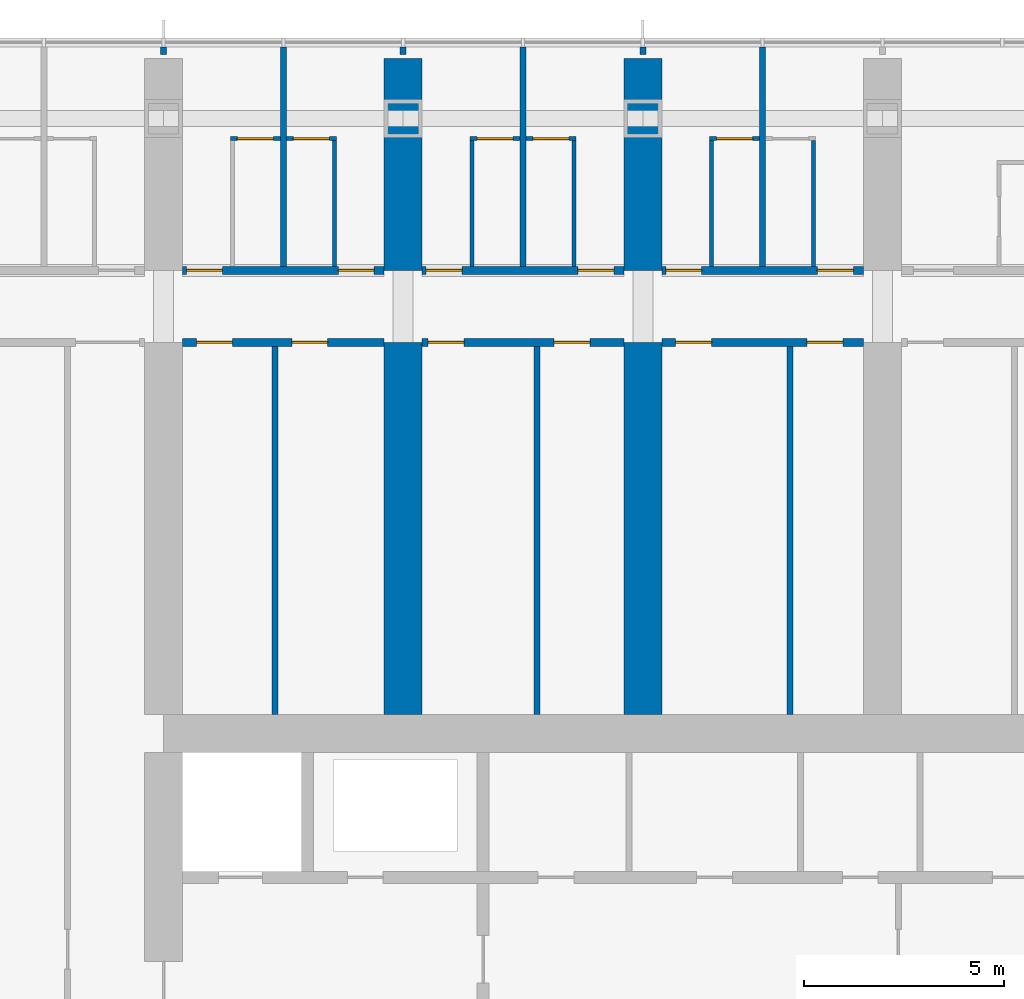
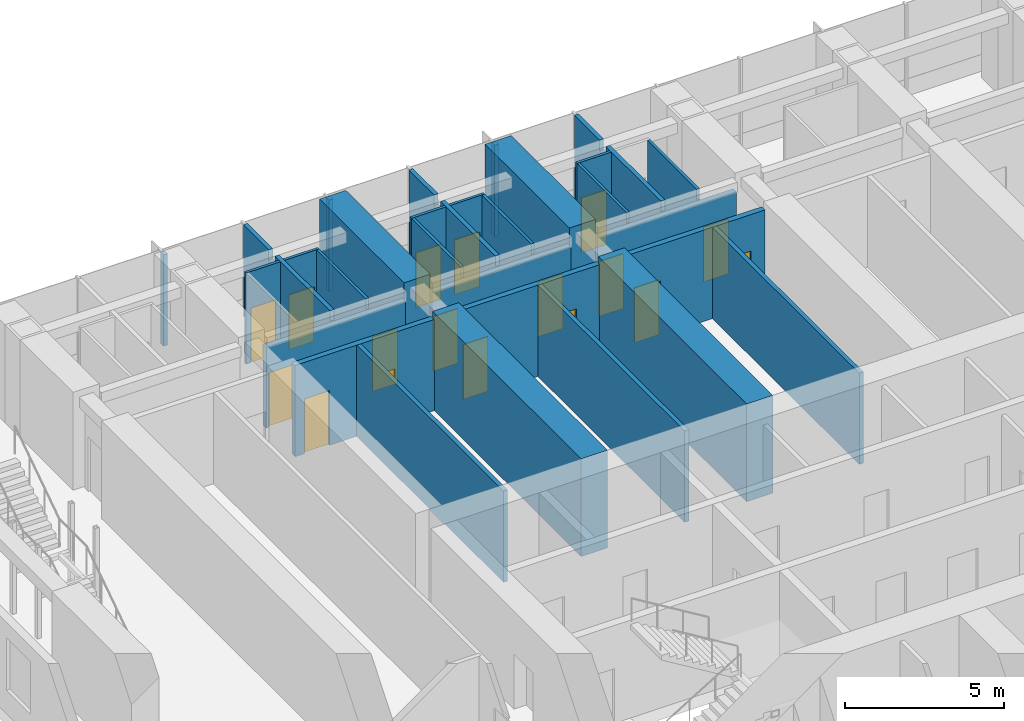
# One storey, part 16 of 26: 29 walls, 17 doors, 17 openings.
"""IFC4 building model written with IfcOpenShell, lengths in metres."""

from ifc_helpers import new_model, si_unit, direction, frame, frame_2d, origin, place, context, subcontext, project, spatial, polyline, rectangle, outline, extrude, material, layer, layer_set, type_object, element, fill, save


model = new_model("IFC4")

# Units and contexts
model_context = context("Model", 3, precision=1e-05, world=origin(), true_north=direction((0.0, 1.0)))
body_context = subcontext(model_context, "Body", "Model", "MODEL_VIEW")
ifc_project = project(units=[si_unit("LENGTHUNIT", "METRE"), si_unit("AREAUNIT", "SQUARE_METRE"), si_unit("VOLUMEUNIT", "CUBIC_METRE"), si_unit("PLANEANGLEUNIT", "RADIAN"), si_unit("MASSUNIT", "GRAM", prefix="KILO")], contexts=[model_context])

# Site, building, storey
site_placement = place(None, origin())
site = spatial("IfcSite", under=ifc_project, at=site_placement, CompositionType="ELEMENT")
building_placement = place(site_placement, origin())
building = spatial("IfcBuilding", under=site, at=building_placement, Name="Orbita Commons", CompositionType="ELEMENT")
storey_placement = place(building_placement, frame((0.0, 0.0, 114.39990234375)))
storey = spatial("IfcBuildingStorey", under=building, at=storey_placement, Name="L28", CompositionType="ELEMENT", Elevation=114.39990234375)

# Wall, openings, doors
ifc_material_1 = material(Name="Concrete blockwork", Category="masonry")
ifc_layer_1 = layer(ifc_material_1, 0.199951171875)
ifc_layer_set_1 = layer_set([ifc_layer_1], Name="Concrete blockwork")
wall_type_1 = type_object("IfcWallType", Name="Corridor wall 200 blockwork", PredefinedType="SOLIDWALL", material=ifc_layer_set_1)
wall_1_placement = place(storey_placement, frame((18.47509765625, 49.800048828125, 0.0), z_axis=(0.0, 0.0, 1.0), x_axis=(1.0, 0.0, 0.0)))
wall_1 = element("IfcWall", 1, at=wall_1_placement, inside=storey, type_object=wall_type_1, Name="Corridor wall 200 blockwork L28", PredefinedType="SOLIDWALL", context=body_context, shape_type="SweptSolid", body=[
    extrude(outline(polyline([(0.0, 0.0), (5.0498046875, 0.0), (5.050048828125, 3.10009765625), (0.0, 3.10009765625), (0.0, 0.0)])), frame((0.0, 0.10009765625, 0.0), z_axis=(0.0, -1.0, 0.0), x_axis=(1.0, 0.0, 0.0)), (0.0, 0.0, 1.0), 0.199951171875),
])
opening_1_placement = place(wall_1_placement, frame((0.10009765625, 0.0, 0.0)))
opening_1 = element("IfcOpeningElement", 2, at=opening_1_placement, cuts=wall_1, Name="Opening D11", PredefinedType="OPENING", context=body_context, shape_type="SweptSolid", body=[
    extrude(rectangle(XDim=0.89990234375, YDim=2.10009765625, at=frame_2d((0.449951171875, 1.050048828125))), frame((0.0, 0.10986328125, 0.0), z_axis=(0.0, -1.0, 0.0), x_axis=(1.0, 0.0, 0.0)), (0.0, 0.0, 1.0), 0.219970703125),
])
opening_2_placement = place(wall_1_placement, frame((3.89990234375, 0.0, 0.0)))
opening_2 = element("IfcOpeningElement", 3, at=opening_2_placement, cuts=wall_1, Name="Opening D11", PredefinedType="OPENING", context=body_context, shape_type="SweptSolid", body=[
    extrude(rectangle(XDim=0.89990234375, YDim=2.10009765625, at=frame_2d((0.449951171875, 1.050048828125))), frame((0.0, 0.10986328125, 0.0), z_axis=(0.0, -1.0, 0.0), x_axis=(1.0, 0.0, 0.0)), (0.0, 0.0, 1.0), 0.219970703125),
])
ifc_material_2 = material(Name="Steel-faced fire door leaf", Category="steel")
door_type_1 = type_object("IfcDoorType", Name="Corridor door 20 min 900x2100", OperationType="SINGLE_SWING_LEFT", PredefinedType="DOOR", material=ifc_material_2)
door_1_placement = place(opening_1_placement, origin())
door_1 = element("IfcDoor", 4, at=door_1_placement, inside=storey, type_object=door_type_1, Name="Cluster bedroom L28-N02 door", OperationType="SINGLE_SWING_LEFT", OverallHeight=2.10009765625, OverallWidth=0.89990234375, PredefinedType="DOOR", context=body_context, shape_type="SweptSolid", body=[
    extrude(rectangle(XDim=0.89990234375, YDim=2.10009765625, at=frame_2d((0.449951171875, 1.050048828125))), frame((0.0, 0.02490234375, 0.0), z_axis=(0.0, -1.0, 0.0), x_axis=(1.0, 0.0, 0.0)), (0.0, 0.0, 1.0), 0.050048828125),
])
fill(opening_1, door_1)
door_2_placement = place(opening_2_placement, origin())
door_2 = element("IfcDoor", 5, at=door_2_placement, inside=storey, type_object=door_type_1, Name="Cluster bedroom L28-N03 door", OperationType="SINGLE_SWING_LEFT", OverallHeight=2.10009765625, OverallWidth=0.89990234375, PredefinedType="DOOR", context=body_context, shape_type="SweptSolid", body=[
    extrude(rectangle(XDim=0.89990234375, YDim=2.10009765625, at=frame_2d((0.449951171875, 1.050048828125))), frame((0.0, 0.02490234375, 0.0), z_axis=(0.0, -1.0, 0.0), x_axis=(1.0, 0.0, 0.0)), (0.0, 0.0, 1.0), 0.050048828125),
])
fill(opening_2, door_2)

wall_2_placement = place(storey_placement, frame((24.47509765625, 49.800048828125, 0.0), z_axis=(0.0, 0.0, 1.0), x_axis=(1.0, 0.0, 0.0)))
wall_2 = element("IfcWall", 6, at=wall_2_placement, inside=storey, type_object=wall_type_1, Name="Corridor wall 200 blockwork L28", PredefinedType="SOLIDWALL", context=body_context, shape_type="SweptSolid", body=[
    extrude(outline(polyline([(0.0, 0.0), (5.0498046875, 0.0), (5.050048828125, 3.10009765625), (0.0, 3.10009765625), (0.0, 0.0)])), frame((0.0, 0.10009765625, 0.0), z_axis=(0.0, -1.0, 0.0), x_axis=(1.0, 0.0, 0.0)), (0.0, 0.0, 1.0), 0.199951171875),
])
opening_3_placement = place(wall_2_placement, frame((0.10009765625, 0.0, 0.0)))
opening_3 = element("IfcOpeningElement", 7, at=opening_3_placement, cuts=wall_2, Name="Opening D11", PredefinedType="OPENING", context=body_context, shape_type="SweptSolid", body=[
    extrude(rectangle(XDim=0.89990234375, YDim=2.10009765625, at=frame_2d((0.449951171875, 1.050048828125))), frame((0.0, 0.10986328125, 0.0), z_axis=(0.0, -1.0, 0.0), x_axis=(1.0, 0.0, 0.0)), (0.0, 0.0, 1.0), 0.219970703125),
])
opening_4_placement = place(wall_2_placement, frame((3.89990234375, 0.0, 0.0)))
opening_4 = element("IfcOpeningElement", 8, at=opening_4_placement, cuts=wall_2, Name="Opening D11", PredefinedType="OPENING", context=body_context, shape_type="SweptSolid", body=[
    extrude(rectangle(XDim=0.89990234375, YDim=2.10009765625, at=frame_2d((0.449951171875, 1.050048828125))), frame((0.0, 0.10986328125, 0.0), z_axis=(0.0, -1.0, 0.0), x_axis=(1.0, 0.0, 0.0)), (0.0, 0.0, 1.0), 0.219970703125),
])
door_3_placement = place(opening_3_placement, origin())
door_3 = element("IfcDoor", 9, at=door_3_placement, inside=storey, type_object=door_type_1, Name="Cluster bedroom L28-N04 door", OperationType="SINGLE_SWING_LEFT", OverallHeight=2.10009765625, OverallWidth=0.89990234375, PredefinedType="DOOR", context=body_context, shape_type="SweptSolid", body=[
    extrude(rectangle(XDim=0.89990234375, YDim=2.10009765625, at=frame_2d((0.449951171875, 1.050048828125))), frame((0.0, 0.02490234375, 0.0), z_axis=(0.0, -1.0, 0.0), x_axis=(1.0, 0.0, 0.0)), (0.0, 0.0, 1.0), 0.050048828125),
])
fill(opening_3, door_3)
door_4_placement = place(opening_4_placement, origin())
door_4 = element("IfcDoor", 10, at=door_4_placement, inside=storey, type_object=door_type_1, Name="Cluster bedroom L28-N05 door", OperationType="SINGLE_SWING_LEFT", OverallHeight=2.10009765625, OverallWidth=0.89990234375, PredefinedType="DOOR", context=body_context, shape_type="SweptSolid", body=[
    extrude(rectangle(XDim=0.89990234375, YDim=2.10009765625, at=frame_2d((0.449951171875, 1.050048828125))), frame((0.0, 0.02490234375, 0.0), z_axis=(0.0, -1.0, 0.0), x_axis=(1.0, 0.0, 0.0)), (0.0, 0.0, 1.0), 0.050048828125),
])
fill(opening_4, door_4)

wall_3_placement = place(storey_placement, frame((30.47509765625, 49.800048828125, 0.0), z_axis=(0.0, 0.0, 1.0), x_axis=(1.0, 0.0, 0.0)))
wall_3 = element("IfcWall", 11, at=wall_3_placement, inside=storey, type_object=wall_type_1, Name="Corridor wall 200 blockwork L28", PredefinedType="SOLIDWALL", context=body_context, shape_type="SweptSolid", body=[
    extrude(outline(polyline([(0.0, 0.0), (5.0498046875, 0.0), (5.050048828125, 3.10009765625), (0.0, 3.10009765625), (0.0, 0.0)])), frame((0.0, 0.10009765625, 0.0), z_axis=(0.0, -1.0, 0.0), x_axis=(1.0, 0.0, 0.0)), (0.0, 0.0, 1.0), 0.199951171875),
])
opening_5_placement = place(wall_3_placement, frame((0.10009765625, 0.0, 0.0)))
opening_5 = element("IfcOpeningElement", 12, at=opening_5_placement, cuts=wall_3, Name="Opening D11", PredefinedType="OPENING", context=body_context, shape_type="SweptSolid", body=[
    extrude(rectangle(XDim=0.89990234375, YDim=2.10009765625, at=frame_2d((0.449951171875, 1.050048828125))), frame((0.0, 0.10986328125, 0.0), z_axis=(0.0, -1.0, 0.0), x_axis=(1.0, 0.0, 0.0)), (0.0, 0.0, 1.0), 0.219970703125),
])
opening_6_placement = place(wall_3_placement, frame((3.89990234375, 0.0, 0.0)))
opening_6 = element("IfcOpeningElement", 13, at=opening_6_placement, cuts=wall_3, Name="Opening D11", PredefinedType="OPENING", context=body_context, shape_type="SweptSolid", body=[
    extrude(rectangle(XDim=0.89990234375, YDim=2.10009765625, at=frame_2d((0.449951171875, 1.050048828125))), frame((0.0, 0.10986328125, 0.0), z_axis=(0.0, -1.0, 0.0), x_axis=(1.0, 0.0, 0.0)), (0.0, 0.0, 1.0), 0.219970703125),
])
door_5_placement = place(opening_5_placement, origin())
door_5 = element("IfcDoor", 14, at=door_5_placement, inside=storey, type_object=door_type_1, Name="Cluster bedroom L28-N06 door", OperationType="SINGLE_SWING_LEFT", OverallHeight=2.10009765625, OverallWidth=0.89990234375, PredefinedType="DOOR", context=body_context, shape_type="SweptSolid", body=[
    extrude(rectangle(XDim=0.89990234375, YDim=2.10009765625, at=frame_2d((0.449951171875, 1.050048828125))), frame((0.0, 0.02490234375, 0.0), z_axis=(0.0, -1.0, 0.0), x_axis=(1.0, 0.0, 0.0)), (0.0, 0.0, 1.0), 0.050048828125),
])
fill(opening_5, door_5)
door_6_placement = place(opening_6_placement, origin())
door_6 = element("IfcDoor", 15, at=door_6_placement, inside=storey, type_object=door_type_1, Name="Cluster bedroom L28-N07 door", OperationType="SINGLE_SWING_LEFT", OverallHeight=2.10009765625, OverallWidth=0.89990234375, PredefinedType="DOOR", context=body_context, shape_type="SweptSolid", body=[
    extrude(rectangle(XDim=0.89990234375, YDim=2.10009765625, at=frame_2d((0.449951171875, 1.050048828125))), frame((0.0, 0.02490234375, 0.0), z_axis=(0.0, -1.0, 0.0), x_axis=(1.0, 0.0, 0.0)), (0.0, 0.0, 1.0), 0.050048828125),
])
fill(opening_6, door_6)

ifc_material_3 = material(Name="Hollow concrete block 200", Category="concrete")
ifc_layer_2 = layer(ifc_material_3, 0.199951171875)
ifc_layer_set_2 = layer_set([ifc_layer_2], Name="Hollow concrete block 200")
wall_type_2 = type_object("IfcWallType", Name="Corridor wall 200 hollow concrete block", PredefinedType="SOLIDWALL", material=ifc_layer_set_2)
wall_4_placement = place(storey_placement, frame((18.47509765625, 48.0, 0.0), z_axis=(0.0, 0.0, 1.0), x_axis=(1.0, 0.0, 0.0)))
wall_4 = element("IfcWall", 16, at=wall_4_placement, inside=storey, type_object=wall_type_2, Name="Corridor wall 200 hollow concrete block L28", PredefinedType="SOLIDWALL", context=body_context, shape_type="SweptSolid", body=[
    extrude(rectangle(XDim=5.0498046875, YDim=0.199951171875, at=frame_2d((2.52490234375, 0.0))), origin(), (0.0, 0.0, 1.0), 3.5),
])
opening_7_placement = place(wall_4_placement, frame((0.35009765625, 0.0, 0.0)))
opening_7 = element("IfcOpeningElement", 17, at=opening_7_placement, cuts=wall_4, Name="Opening D11", PredefinedType="OPENING", context=body_context, shape_type="SweptSolid", body=[
    extrude(rectangle(XDim=0.89990234375, YDim=2.10009765625, at=frame_2d((0.449951171875, 1.050048828125))), frame((0.0, 0.10986328125, 0.0), z_axis=(0.0, -1.0, 0.0), x_axis=(1.0, 0.0, 0.0)), (0.0, 0.0, 1.0), 0.219970703125),
])
opening_8_placement = place(wall_4_placement, frame((2.735107421875, 0.0, 0.0)))
opening_8 = element("IfcOpeningElement", 18, at=opening_8_placement, cuts=wall_4, Name="Opening D11", PredefinedType="OPENING", context=body_context, shape_type="SweptSolid", body=[
    extrude(rectangle(XDim=0.89990234375, YDim=2.10009765625, at=frame_2d((0.449951171875, 1.050048828125))), frame((0.0, 0.10986328125, 0.0), z_axis=(0.0, -1.0, 0.0), x_axis=(1.0, 0.0, 0.0)), (0.0, 0.0, 1.0), 0.219970703125),
])
door_7_placement = place(opening_7_placement, origin())
door_7 = element("IfcDoor", 19, at=door_7_placement, inside=storey, type_object=door_type_1, Name="Equipment store L28-BDN18n door", OperationType="SINGLE_SWING_LEFT", OverallHeight=2.10009765625, OverallWidth=0.89990234375, PredefinedType="DOOR", context=body_context, shape_type="SweptSolid", body=[
    extrude(rectangle(XDim=0.89990234375, YDim=2.10009765625, at=frame_2d((0.449951171875, 1.050048828125))), frame((0.0, 0.02490234375, 0.0), z_axis=(0.0, -1.0, 0.0), x_axis=(1.0, 0.0, 0.0)), (0.0, 0.0, 1.0), 0.050048828125),
])
fill(opening_7, door_7)
door_8_placement = place(opening_8_placement, origin())
door_8 = element("IfcDoor", 20, at=door_8_placement, inside=storey, type_object=door_type_1, Name="Cleaners store L28-BDN18 door", OperationType="SINGLE_SWING_LEFT", OverallHeight=2.10009765625, OverallWidth=0.89990234375, PredefinedType="DOOR", context=body_context, shape_type="SweptSolid", body=[
    extrude(rectangle(XDim=0.89990234375, YDim=2.10009765625, at=frame_2d((0.449951171875, 1.050048828125))), frame((0.0, 0.02490234375, 0.0), z_axis=(0.0, -1.0, 0.0), x_axis=(1.0, 0.0, 0.0)), (0.0, 0.0, 1.0), 0.050048828125),
])
fill(opening_8, door_8)

wall_5_placement = place(storey_placement, frame((24.47509765625, 48.0, 0.0), z_axis=(0.0, 0.0, 1.0), x_axis=(1.0, 0.0, 0.0)))
wall_5 = element("IfcWall", 21, at=wall_5_placement, inside=storey, type_object=wall_type_2, Name="Corridor wall 200 hollow concrete block L28", PredefinedType="SOLIDWALL", context=body_context, shape_type="SweptSolid", body=[
    extrude(rectangle(XDim=5.0498046875, YDim=0.199951171875, at=frame_2d((2.52490234375, 0.0))), origin(), (0.0, 0.0, 1.0), 3.5),
])
opening_9_placement = place(wall_5_placement, frame((0.14990234375, 0.0, 0.0)))
opening_9 = element("IfcOpeningElement", 22, at=opening_9_placement, cuts=wall_5, Name="Opening D11", PredefinedType="OPENING", context=body_context, shape_type="SweptSolid", body=[
    extrude(rectangle(XDim=0.89990234375, YDim=2.10009765625, at=frame_2d((0.449951171875, 1.050048828125))), frame((0.0, 0.10986328125, 0.0), z_axis=(0.0, -1.0, 0.0), x_axis=(1.0, 0.0, 0.0)), (0.0, 0.0, 1.0), 0.219970703125),
])
opening_10_placement = place(wall_5_placement, frame((3.304931640625, 0.0, 0.0)))
opening_10 = element("IfcOpeningElement", 23, at=opening_10_placement, cuts=wall_5, Name="Opening D11", PredefinedType="OPENING", context=body_context, shape_type="SweptSolid", body=[
    extrude(rectangle(XDim=0.89990234375, YDim=2.10009765625, at=frame_2d((0.449951171875, 1.050048828125))), frame((0.0, 0.10986328125, 0.0), z_axis=(0.0, -1.0, 0.0), x_axis=(1.0, 0.0, 0.0)), (0.0, 0.0, 1.0), 0.219970703125),
])
door_9_placement = place(opening_9_placement, origin())
door_9 = element("IfcDoor", 24, at=door_9_placement, inside=storey, type_object=door_type_1, Name="Electrical and data room L28-BDN24 door", OperationType="SINGLE_SWING_LEFT", OverallHeight=2.10009765625, OverallWidth=0.89990234375, PredefinedType="DOOR", context=body_context, shape_type="SweptSolid", body=[
    extrude(rectangle(XDim=0.89990234375, YDim=2.10009765625, at=frame_2d((0.449951171875, 1.050048828125))), frame((0.0, 0.02490234375, 0.0), z_axis=(0.0, -1.0, 0.0), x_axis=(1.0, 0.0, 0.0)), (0.0, 0.0, 1.0), 0.050048828125),
])
fill(opening_9, door_9)
door_10_placement = place(opening_10_placement, origin())
door_10 = element("IfcDoor", 25, at=door_10_placement, inside=storey, type_object=door_type_1, Name="Battery and UPS room L28-BDN24n door", OperationType="SINGLE_SWING_LEFT", OverallHeight=2.10009765625, OverallWidth=0.89990234375, PredefinedType="DOOR", context=body_context, shape_type="SweptSolid", body=[
    extrude(rectangle(XDim=0.89990234375, YDim=2.10009765625, at=frame_2d((0.449951171875, 1.050048828125))), frame((0.0, 0.02490234375, 0.0), z_axis=(0.0, -1.0, 0.0), x_axis=(1.0, 0.0, 0.0)), (0.0, 0.0, 1.0), 0.050048828125),
])
fill(opening_10, door_10)

wall_6_placement = place(storey_placement, frame((30.47509765625, 48.0, 0.0), z_axis=(0.0, 0.0, 1.0), x_axis=(1.0, 0.0, 0.0)))
wall_6 = element("IfcWall", 26, at=wall_6_placement, inside=storey, type_object=wall_type_2, Name="Corridor wall 200 hollow concrete block L28", PredefinedType="SOLIDWALL", context=body_context, shape_type="SweptSolid", body=[
    extrude(rectangle(XDim=5.0498046875, YDim=0.199951171875, at=frame_2d((2.52490234375, 0.0))), origin(), (0.0, 0.0, 1.0), 3.5),
])
opening_11_placement = place(wall_6_placement, frame((0.35009765625, 0.0, 0.0)))
opening_11 = element("IfcOpeningElement", 27, at=opening_11_placement, cuts=wall_6, Name="Opening D11", PredefinedType="OPENING", context=body_context, shape_type="SweptSolid", body=[
    extrude(rectangle(XDim=0.89990234375, YDim=2.10009765625, at=frame_2d((0.449951171875, 1.050048828125))), frame((0.0, 0.10986328125, 0.0), z_axis=(0.0, -1.0, 0.0), x_axis=(1.0, 0.0, 0.0)), (0.0, 0.0, 1.0), 0.219970703125),
])
opening_12_placement = place(wall_6_placement, frame((3.635009765625, 0.0, 0.0)))
opening_12 = element("IfcOpeningElement", 28, at=opening_12_placement, cuts=wall_6, Name="Opening D11", PredefinedType="OPENING", context=body_context, shape_type="SweptSolid", body=[
    extrude(rectangle(XDim=0.89990234375, YDim=2.10009765625, at=frame_2d((0.449951171875, 1.050048828125))), frame((0.0, 0.10986328125, 0.0), z_axis=(0.0, -1.0, 0.0), x_axis=(1.0, 0.0, 0.0)), (0.0, 0.0, 1.0), 0.219970703125),
])
door_11_placement = place(opening_11_placement, origin())
door_11 = element("IfcDoor", 29, at=door_11_placement, inside=storey, type_object=door_type_1, Name="Ventilation plant room north L28-BDN30 door", OperationType="SINGLE_SWING_LEFT", OverallHeight=2.10009765625, OverallWidth=0.89990234375, PredefinedType="DOOR", context=body_context, shape_type="SweptSolid", body=[
    extrude(rectangle(XDim=0.89990234375, YDim=2.10009765625, at=frame_2d((0.449951171875, 1.050048828125))), frame((0.0, 0.02490234375, 0.0), z_axis=(0.0, -1.0, 0.0), x_axis=(1.0, 0.0, 0.0)), (0.0, 0.0, 1.0), 0.050048828125),
])
fill(opening_11, door_11)
door_12_placement = place(opening_12_placement, origin())
door_12 = element("IfcDoor", 30, at=door_12_placement, inside=storey, type_object=door_type_1, Name="Sprinkler valve room L28-BDN30n door", OperationType="SINGLE_SWING_LEFT", OverallHeight=2.10009765625, OverallWidth=0.89990234375, PredefinedType="DOOR", context=body_context, shape_type="SweptSolid", body=[
    extrude(rectangle(XDim=0.89990234375, YDim=2.10009765625, at=frame_2d((0.449951171875, 1.050048828125))), frame((0.0, 0.02490234375, 0.0), z_axis=(0.0, -1.0, 0.0), x_axis=(1.0, 0.0, 0.0)), (0.0, 0.0, 1.0), 0.050048828125),
])
fill(opening_12, door_12)

# Walls
ifc_material_4 = material(Name="Concrete C50/60", Category="concrete")
ifc_layer_3 = layer(ifc_material_4, 0.949951171875)
ifc_layer_set_3 = layer_set([ifc_layer_3], Name="Concrete C50/60")
wall_type_3 = type_object("IfcWallType", Name="Cross wall 950 C50/60", PredefinedType="SHEAR", material=ifc_layer_set_3)
wall_7_placement = place(storey_placement, frame((24.0, 49.800048828125, 0.0), z_axis=(0.0, 0.0, 1.0), x_axis=(0.0, 1.0, 0.0)))
element("IfcWall", 31, at=wall_7_placement, inside=storey, type_object=wall_type_3, Name="Cross wall 5 north outer L28", PredefinedType="SHEAR", context=body_context, shape_type="SweptSolid", body=[
    extrude(rectangle(XDim=5.300048828125, YDim=0.949951171875, at=frame_2d((2.64990234375, 0.0))), origin(), (0.0, 0.0, 1.0), 3.75),
])
wall_8_placement = place(storey_placement, frame((24.0, 38.675048828125, 0.0), z_axis=(0.0, 0.0, 1.0), x_axis=(0.0, 1.0, 0.0)))
element("IfcWall", 32, at=wall_8_placement, inside=storey, type_object=wall_type_3, Name="Cross wall 5 north inner L28", PredefinedType="SHEAR", context=body_context, shape_type="SweptSolid", body=[
    extrude(rectangle(XDim=9.324951171875, YDim=0.949951171875, at=frame_2d((4.66259765625, 0.0))), origin(), (0.0, 0.0, 1.0), 3.75),
])
wall_9_placement = place(storey_placement, frame((30.0, 49.800048828125, 0.0), z_axis=(0.0, 0.0, 1.0), x_axis=(0.0, 1.0, 0.0)))
element("IfcWall", 33, at=wall_9_placement, inside=storey, type_object=wall_type_3, Name="Cross wall 6 north outer L28", PredefinedType="SHEAR", context=body_context, shape_type="SweptSolid", body=[
    extrude(rectangle(XDim=5.300048828125, YDim=0.949951171875, at=frame_2d((2.64990234375, 0.0))), origin(), (0.0, 0.0, 1.0), 3.75),
])
wall_10_placement = place(storey_placement, frame((30.0, 38.675048828125, 0.0), z_axis=(0.0, 0.0, 1.0), x_axis=(0.0, 1.0, 0.0)))
element("IfcWall", 34, at=wall_10_placement, inside=storey, type_object=wall_type_3, Name="Cross wall 6 north inner L28", PredefinedType="SHEAR", context=body_context, shape_type="SweptSolid", body=[
    extrude(rectangle(XDim=9.324951171875, YDim=0.949951171875, at=frame_2d((4.66259765625, 0.0))), origin(), (0.0, 0.0, 1.0), 3.75),
])

# Wall, opening, door
ifc_material_5 = material(Name="Moisture-resistant plasterboard on steel studs", Category="steel")
ifc_layer_4 = layer(ifc_material_5, 0.10009765625)
ifc_layer_set_4 = layer_set([ifc_layer_4], Name="Moisture-resistant plasterboard on steel studs")
wall_type_4 = type_object("IfcWallType", Name="En-suite partition 100", PredefinedType="PARTITIONING", material=ifc_layer_set_4)
wall_11_placement = place(storey_placement, frame((19.675048828125, 53.10009765625, 0.0), z_axis=(0.0, 0.0, 1.0), x_axis=(1.0, 0.0, 0.0)))
wall_11 = element("IfcWall", 35, at=wall_11_placement, inside=storey, type_object=wall_type_4, Name="En-suite partition 100 L28", PredefinedType="PARTITIONING", context=body_context, shape_type="SweptSolid", body=[
    extrude(rectangle(XDim=1.25, YDim=0.10009765625, at=frame_2d((0.625, 0.0))), origin(), (0.0, 0.0, 1.0), 3.5),
])
opening_13_placement = place(wall_11_placement, frame((0.175048828125, 0.0, 0.0)))
opening_13 = element("IfcOpeningElement", 36, at=opening_13_placement, cuts=wall_11, Name="Opening D09", PredefinedType="OPENING", context=body_context, shape_type="SweptSolid", body=[
    extrude(rectangle(XDim=0.89990234375, YDim=2.10009765625, at=frame_2d((0.449951171875, 1.050048828125))), frame((0.0, 0.06005859375, 0.0), z_axis=(0.0, -1.0, 0.0), x_axis=(1.0, 0.0, 0.0)), (0.0, 0.0, 1.0), 0.1201171875),
])
ifc_material_6 = material(Name="Laminated timber door leaf", Category="wood")
door_type_2 = type_object("IfcDoorType", Name="En-suite door 900x2100", OperationType="SINGLE_SWING_RIGHT", PredefinedType="DOOR", material=ifc_material_6)
door_13_placement = place(opening_13_placement, origin())
door_13 = element("IfcDoor", 37, at=door_13_placement, inside=storey, type_object=door_type_2, Name="En-suite L28-N02 door", OperationType="SINGLE_SWING_RIGHT", OverallHeight=2.10009765625, OverallWidth=0.89990234375, PredefinedType="DOOR", context=body_context, shape_type="SweptSolid", body=[
    extrude(rectangle(XDim=0.89990234375, YDim=2.10009765625, at=frame_2d((0.449951171875, 1.050048828125))), frame((0.0, 0.02490234375, 0.0), z_axis=(0.0, -1.0, 0.0), x_axis=(1.0, 0.0, 0.0)), (0.0, 0.0, 1.0), 0.050048828125),
])
fill(opening_13, door_13)

wall_12_placement = place(storey_placement, frame((21.074951171875, 53.10009765625, 0.0), z_axis=(0.0, 0.0, 1.0), x_axis=(1.0, 0.0, 0.0)))
wall_12 = element("IfcWall", 38, at=wall_12_placement, inside=storey, type_object=wall_type_4, Name="En-suite partition 100 L28", PredefinedType="PARTITIONING", context=body_context, shape_type="SweptSolid", body=[
    extrude(rectangle(XDim=1.25, YDim=0.10009765625, at=frame_2d((0.625, 0.0))), origin(), (0.0, 0.0, 1.0), 3.5),
])
opening_14_placement = place(wall_12_placement, frame((0.175048828125, 0.0, 0.0)))
opening_14 = element("IfcOpeningElement", 39, at=opening_14_placement, cuts=wall_12, Name="Opening D09", PredefinedType="OPENING", context=body_context, shape_type="SweptSolid", body=[
    extrude(rectangle(XDim=0.89990234375, YDim=2.10009765625, at=frame_2d((0.449951171875, 1.050048828125))), frame((0.0, 0.06005859375, 0.0), z_axis=(0.0, -1.0, 0.0), x_axis=(1.0, 0.0, 0.0)), (0.0, 0.0, 1.0), 0.1201171875),
])
door_14_placement = place(opening_14_placement, origin())
door_14 = element("IfcDoor", 40, at=door_14_placement, inside=storey, type_object=door_type_2, Name="En-suite L28-N03 door", OperationType="SINGLE_SWING_RIGHT", OverallHeight=2.10009765625, OverallWidth=0.89990234375, PredefinedType="DOOR", context=body_context, shape_type="SweptSolid", body=[
    extrude(rectangle(XDim=0.89990234375, YDim=2.10009765625, at=frame_2d((0.449951171875, 1.050048828125))), frame((0.0, 0.02490234375, 0.0), z_axis=(0.0, -1.0, 0.0), x_axis=(1.0, 0.0, 0.0)), (0.0, 0.0, 1.0), 0.050048828125),
])
fill(opening_14, door_14)

# Wall
wall_13_placement = place(storey_placement, frame((22.27490234375, 53.050048828125, 0.0), z_axis=(0.0, 0.0, 1.0), x_axis=(0.0, -1.0, 0.0)))
element("IfcWall", 41, at=wall_13_placement, inside=storey, type_object=wall_type_4, Name="En-suite partition 100 L28", PredefinedType="PARTITIONING", context=body_context, shape_type="SweptSolid", body=[
    extrude(outline(polyline([(0.0, 0.0), (3.150146484375, 0.0), (3.14990234375, 3.10009765625), (3.10205078125, 3.10009765625), (3.10009765625, 3.5), (0.0, 3.5), (0.0, 0.0)])), frame((0.0, 0.050048828125, 0.0), z_axis=(0.0, -1.0, 0.0), x_axis=(1.0, 0.0, 0.0)), (0.0, 0.0, 1.0), 0.10009765625),
])

# Wall, opening, door
wall_14_placement = place(storey_placement, frame((25.675048828125, 53.10009765625, 0.0), z_axis=(0.0, 0.0, 1.0), x_axis=(1.0, 0.0, 0.0)))
wall_14 = element("IfcWall", 42, at=wall_14_placement, inside=storey, type_object=wall_type_4, Name="En-suite partition 100 L28", PredefinedType="PARTITIONING", context=body_context, shape_type="SweptSolid", body=[
    extrude(rectangle(XDim=1.25, YDim=0.10009765625, at=frame_2d((0.625, 0.0))), origin(), (0.0, 0.0, 1.0), 3.5),
])
opening_15_placement = place(wall_14_placement, frame((0.175048828125, 0.0, 0.0)))
opening_15 = element("IfcOpeningElement", 43, at=opening_15_placement, cuts=wall_14, Name="Opening D09", PredefinedType="OPENING", context=body_context, shape_type="SweptSolid", body=[
    extrude(rectangle(XDim=0.89990234375, YDim=2.10009765625, at=frame_2d((0.449951171875, 1.050048828125))), frame((0.0, 0.06005859375, 0.0), z_axis=(0.0, -1.0, 0.0), x_axis=(1.0, 0.0, 0.0)), (0.0, 0.0, 1.0), 0.1201171875),
])
door_15_placement = place(opening_15_placement, origin())
door_15 = element("IfcDoor", 44, at=door_15_placement, inside=storey, type_object=door_type_2, Name="En-suite L28-N04 door", OperationType="SINGLE_SWING_RIGHT", OverallHeight=2.10009765625, OverallWidth=0.89990234375, PredefinedType="DOOR", context=body_context, shape_type="SweptSolid", body=[
    extrude(rectangle(XDim=0.89990234375, YDim=2.10009765625, at=frame_2d((0.449951171875, 1.050048828125))), frame((0.0, 0.02490234375, 0.0), z_axis=(0.0, -1.0, 0.0), x_axis=(1.0, 0.0, 0.0)), (0.0, 0.0, 1.0), 0.050048828125),
])
fill(opening_15, door_15)

# Wall
wall_15_placement = place(storey_placement, frame((25.72509765625, 53.050048828125, 0.0), z_axis=(0.0, 0.0, 1.0), x_axis=(0.0, -1.0, 0.0)))
element("IfcWall", 45, at=wall_15_placement, inside=storey, type_object=wall_type_4, Name="En-suite partition 100 L28", PredefinedType="PARTITIONING", context=body_context, shape_type="SweptSolid", body=[
    extrude(outline(polyline([(0.0, 0.0), (3.150146484375, 0.0), (3.14990234375, 3.10009765625), (3.10205078125, 3.10009765625), (3.10009765625, 3.5), (0.0, 3.5), (0.0, 0.0)])), frame((0.0, 0.050048828125, 0.0), z_axis=(0.0, -1.0, 0.0), x_axis=(1.0, 0.0, 0.0)), (0.0, 0.0, 1.0), 0.10009765625),
])

# Wall, opening, door
wall_16_placement = place(storey_placement, frame((27.074951171875, 53.10009765625, 0.0), z_axis=(0.0, 0.0, 1.0), x_axis=(1.0, 0.0, 0.0)))
wall_16 = element("IfcWall", 46, at=wall_16_placement, inside=storey, type_object=wall_type_4, Name="En-suite partition 100 L28", PredefinedType="PARTITIONING", context=body_context, shape_type="SweptSolid", body=[
    extrude(rectangle(XDim=1.25, YDim=0.10009765625, at=frame_2d((0.625, 0.0))), origin(), (0.0, 0.0, 1.0), 3.5),
])
opening_16_placement = place(wall_16_placement, frame((0.175048828125, 0.0, 0.0)))
opening_16 = element("IfcOpeningElement", 47, at=opening_16_placement, cuts=wall_16, Name="Opening D09", PredefinedType="OPENING", context=body_context, shape_type="SweptSolid", body=[
    extrude(rectangle(XDim=0.89990234375, YDim=2.10009765625, at=frame_2d((0.449951171875, 1.050048828125))), frame((0.0, 0.06005859375, 0.0), z_axis=(0.0, -1.0, 0.0), x_axis=(1.0, 0.0, 0.0)), (0.0, 0.0, 1.0), 0.1201171875),
])
door_16_placement = place(opening_16_placement, origin())
door_16 = element("IfcDoor", 48, at=door_16_placement, inside=storey, type_object=door_type_2, Name="En-suite L28-N05 door", OperationType="SINGLE_SWING_RIGHT", OverallHeight=2.10009765625, OverallWidth=0.89990234375, PredefinedType="DOOR", context=body_context, shape_type="SweptSolid", body=[
    extrude(rectangle(XDim=0.89990234375, YDim=2.10009765625, at=frame_2d((0.449951171875, 1.050048828125))), frame((0.0, 0.02490234375, 0.0), z_axis=(0.0, -1.0, 0.0), x_axis=(1.0, 0.0, 0.0)), (0.0, 0.0, 1.0), 0.050048828125),
])
fill(opening_16, door_16)

# Wall
wall_17_placement = place(storey_placement, frame((28.27490234375, 53.050048828125, 0.0), z_axis=(0.0, 0.0, 1.0), x_axis=(0.0, -1.0, 0.0)))
element("IfcWall", 49, at=wall_17_placement, inside=storey, type_object=wall_type_4, Name="En-suite partition 100 L28", PredefinedType="PARTITIONING", context=body_context, shape_type="SweptSolid", body=[
    extrude(outline(polyline([(0.0, 0.0), (3.150146484375, 0.0), (3.14990234375, 3.10009765625), (3.10205078125, 3.10009765625), (3.10009765625, 3.5), (0.0, 3.5), (0.0, 0.0)])), frame((0.0, 0.050048828125, 0.0), z_axis=(0.0, -1.0, 0.0), x_axis=(1.0, 0.0, 0.0)), (0.0, 0.0, 1.0), 0.10009765625),
])

# Wall, opening, door
wall_18_placement = place(storey_placement, frame((31.675048828125, 53.10009765625, 0.0), z_axis=(0.0, 0.0, 1.0), x_axis=(1.0, 0.0, 0.0)))
wall_18 = element("IfcWall", 50, at=wall_18_placement, inside=storey, type_object=wall_type_4, Name="En-suite partition 100 L28", PredefinedType="PARTITIONING", context=body_context, shape_type="SweptSolid", body=[
    extrude(rectangle(XDim=1.25, YDim=0.10009765625, at=frame_2d((0.625, 0.0))), origin(), (0.0, 0.0, 1.0), 3.5),
])
opening_17_placement = place(wall_18_placement, frame((0.175048828125, 0.0, 0.0)))
opening_17 = element("IfcOpeningElement", 51, at=opening_17_placement, cuts=wall_18, Name="Opening D09", PredefinedType="OPENING", context=body_context, shape_type="SweptSolid", body=[
    extrude(rectangle(XDim=0.89990234375, YDim=2.10009765625, at=frame_2d((0.449951171875, 1.050048828125))), frame((0.0, 0.06005859375, 0.0), z_axis=(0.0, -1.0, 0.0), x_axis=(1.0, 0.0, 0.0)), (0.0, 0.0, 1.0), 0.1201171875),
])
door_17_placement = place(opening_17_placement, origin())
door_17 = element("IfcDoor", 52, at=door_17_placement, inside=storey, type_object=door_type_2, Name="En-suite L28-N06 door", OperationType="SINGLE_SWING_RIGHT", OverallHeight=2.10009765625, OverallWidth=0.89990234375, PredefinedType="DOOR", context=body_context, shape_type="SweptSolid", body=[
    extrude(rectangle(XDim=0.89990234375, YDim=2.10009765625, at=frame_2d((0.449951171875, 1.050048828125))), frame((0.0, 0.02490234375, 0.0), z_axis=(0.0, -1.0, 0.0), x_axis=(1.0, 0.0, 0.0)), (0.0, 0.0, 1.0), 0.050048828125),
])
fill(opening_17, door_17)

# Walls
for number, where, z_axis, x_axis, name in (
    (53, (31.72509765625, 53.050048828125, 0.0), (0.0, 0.0, 1.0), (0.0, -1.0, 0.0), "En-suite partition 100 L28"),
    (54, (34.27490234375, 53.050048828125, 0.0), (0.0, 0.0, 1.0), (0.0, -1.0, 0.0), "En-suite partition 100 L28"),
):
    element("IfcWall", number, at=place(storey_placement, frame(where, z_axis=z_axis, x_axis=x_axis)), inside=storey, type_object=wall_type_4, Name=name, PredefinedType="PARTITIONING", context=body_context, shape_type="SweptSolid", body=[
        extrude(outline(polyline([(0.0, 0.0), (3.150146484375, 0.0), (3.14990234375, 3.10009765625), (3.10205078125, 3.10009765625), (3.10009765625, 3.5), (0.0, 3.5), (0.0, 0.0)])), frame((0.0, 0.050048828125, 0.0), z_axis=(0.0, -1.0, 0.0), x_axis=(1.0, 0.0, 0.0)), (0.0, 0.0, 1.0), 0.10009765625),
    ])
ifc_material_7 = material(Name="Gypsum plasterboard on steel studs", Category="steel")
ifc_layer_5 = layer(ifc_material_7, 0.14990234375)
ifc_layer_set_5 = layer_set([ifc_layer_5], Name="Gypsum plasterboard on steel studs")
wall_type_5 = type_object("IfcWallType", Name="Partition 150 plasterboard", PredefinedType="PARTITIONING", material=ifc_layer_set_5)
for number, where, z_axis, x_axis, name in (
    (55, (20.784912109375, 38.675048828125, 0.0), (0.0, 0.0, 1.0), (0.0, 1.0, 0.0), "Partition 150 plasterboard L28"),
    (56, (27.35498046875, 38.675048828125, 0.0), (0.0, 0.0, 1.0), (0.0, 1.0, 0.0), "Partition 150 plasterboard L28"),
    (57, (33.68505859375, 38.675048828125, 0.0), (0.0, 0.0, 1.0), (0.0, 1.0, 0.0), "Partition 150 plasterboard L28"),
):
    element("IfcWall", number, at=place(storey_placement, frame(where, z_axis=z_axis, x_axis=x_axis)), inside=storey, type_object=wall_type_5, Name=name, PredefinedType="PARTITIONING", context=body_context, shape_type="SweptSolid", body=[
        extrude(rectangle(XDim=9.224853515625, YDim=0.14990234375, at=frame_2d((4.6123046875, 0.0))), origin(), (0.0, 0.0, 1.0), 3.5),
    ])
for number, where, z_axis, x_axis, name in (
    (58, (18.0, 55.199951171875, 0.0), (0.0, 0.0, 1.0), (0.0, 1.0, 0.0), "Partition 150 plasterboard L28"),
    (59, (24.0, 55.199951171875, 0.0), (0.0, 0.0, 1.0), (0.0, 1.0, 0.0), "Partition 150 plasterboard L28"),
    (60, (30.0, 55.199951171875, 0.0), (0.0, 0.0, 1.0), (0.0, 1.0, 0.0), "Partition 150 plasterboard L28"),
):
    element("IfcWall", number, at=place(storey_placement, frame(where, z_axis=z_axis, x_axis=x_axis)), inside=storey, type_object=wall_type_5, Name=name, PredefinedType="PARTITIONING", context=body_context, shape_type="SweptSolid", body=[
        extrude(rectangle(XDim=0.18994140625, YDim=0.14990234375, at=frame_2d((0.094970703125, 0.0))), origin(), (0.0, 0.0, 1.0), 3.5),
    ])
ifc_material_8 = material(Name="Gypsum plasterboard on steel studs", Category="steel")
ifc_layer_6 = layer(ifc_material_8, 0.14990234375)
ifc_layer_set_6 = layer_set([ifc_layer_6], Name="Gypsum plasterboard on steel studs")
wall_type_6 = type_object("IfcWallType", Name="Party wall 150 plasterboard", PredefinedType="PARTITIONING", material=ifc_layer_set_6)
for number, where, z_axis, x_axis, name in (
    (61, (21.0, 55.389892578125, 0.0), (0.0, 0.0, 1.0), (0.0, -1.0, 0.0), "Party wall 150 plasterboard L28"),
    (62, (27.0, 55.389892578125, 0.0), (0.0, 0.0, 1.0), (0.0, -1.0, 0.0), "Party wall 150 plasterboard L28"),
    (63, (33.0, 55.389892578125, 0.0), (0.0, 0.0, 1.0), (0.0, -1.0, 0.0), "Party wall 150 plasterboard L28"),
):
    element("IfcWall", number, at=place(storey_placement, frame(where, z_axis=z_axis, x_axis=x_axis)), inside=storey, type_object=wall_type_6, Name=name, PredefinedType="PARTITIONING", context=body_context, shape_type="SweptSolid", body=[
        extrude(outline(polyline([(0.0, 0.0), (5.489990234375, 0.0), (5.489990234375, 3.10009765625), (5.44189453125, 3.10009765625), (5.43994140625, 3.5), (1.991943359375, 3.5), (1.989990234375, 3.10009765625), (1.592041015625, 3.10009765625), (1.590087890625, 3.5), (0.0, 3.5), (0.0, 0.0)])), frame((0.0, 0.074951171875, 0.0), z_axis=(0.0, -1.0, 0.0), x_axis=(1.0, 0.0, 0.0)), (0.0, 0.0, 1.0), 0.14990234375),
    ])

save(model, "model.ifc")
